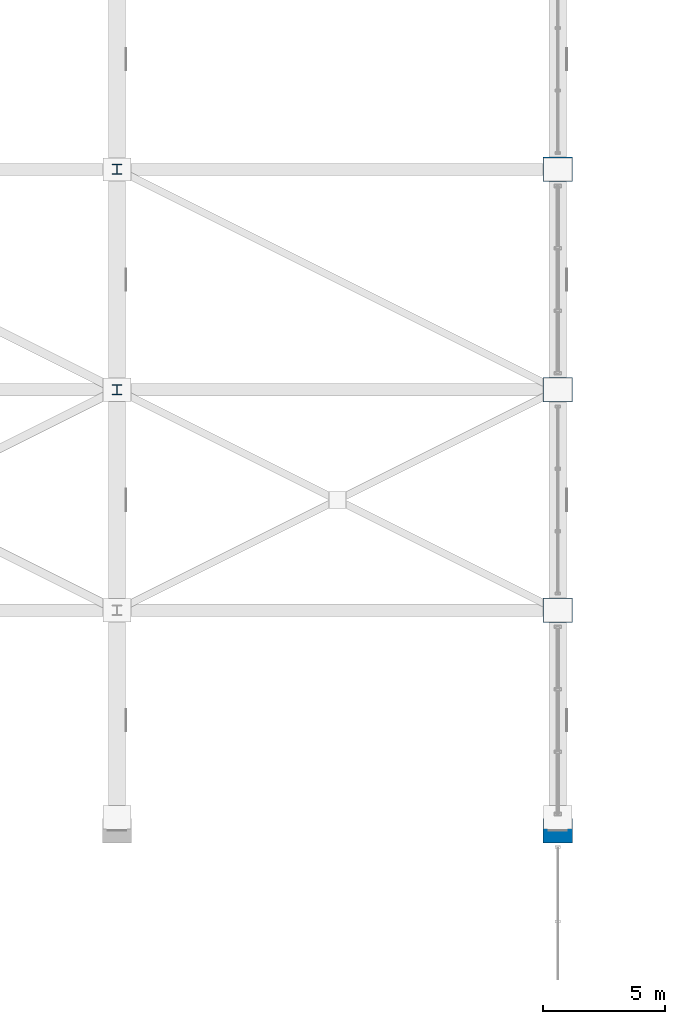
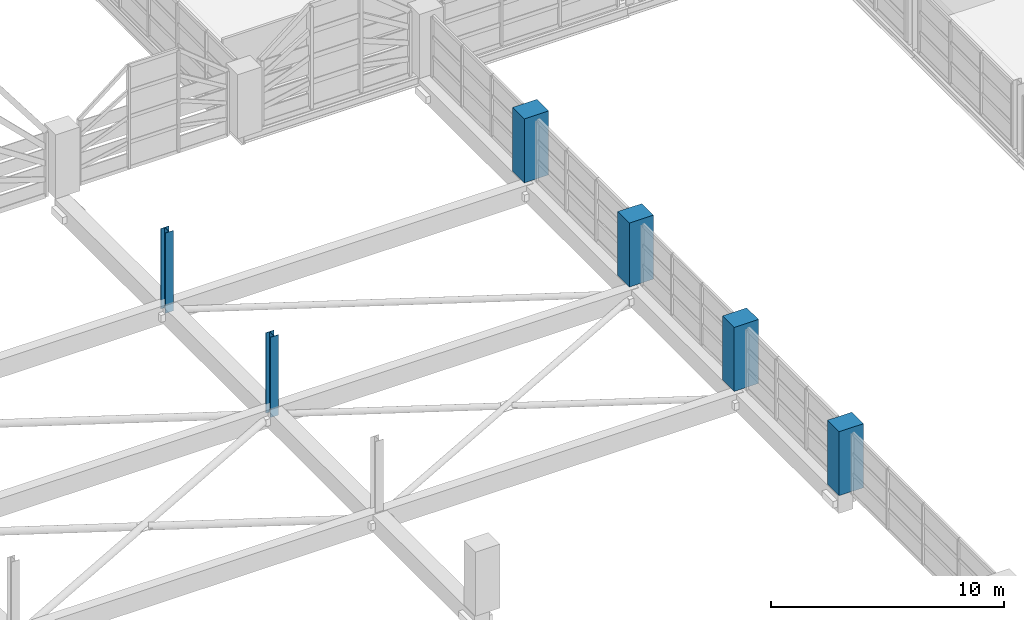
# One storey, part 9 of 116: 6 columns.
"""IFC4 building model written with IfcOpenShell, lengths in metres."""

from ifc_helpers import new_model, si_unit, direction, frame, origin, origin_2d, place, context, subcontext, project, spatial, rectangle, i_section, extrude, material, material_profile, profile_set, type_object, element, save


model = new_model("IFC4")

# Units and contexts
model_context = context("Model", 3, precision=1e-05, world=origin(), true_north=direction((0.0, 1.0)))
body_context = subcontext(model_context, "Body", "Model", "MODEL_VIEW")
ifc_project = project(units=[si_unit("LENGTHUNIT", "METRE"), si_unit("AREAUNIT", "SQUARE_METRE"), si_unit("VOLUMEUNIT", "CUBIC_METRE"), si_unit("PLANEANGLEUNIT", "RADIAN"), si_unit("MASSUNIT", "GRAM", prefix="KILO")], contexts=[model_context])

# Site, building, storey
site_placement = place(None, origin())
site = spatial("IfcSite", under=ifc_project, at=site_placement, CompositionType="ELEMENT")
building_placement = place(site_placement, origin())
building = spatial("IfcBuilding", under=site, at=building_placement, Name="Chuanluo Vaults Station", CompositionType="ELEMENT")
storey_placement = place(building_placement, frame((0.0, 0.0, 10.800048828125)))
storey = spatial("IfcBuildingStorey", under=building, at=storey_placement, Name="L02", CompositionType="ELEMENT", Elevation=10.800048828125)

# Columns
ifc_material_1 = material(Name="Concrete C50", Category="concrete")
ifc_material_profile_1 = material_profile(ifc_material_1, rectangle(XDim=1.199951171875, YDim=1.0, at=origin_2d()))
ifc_profile_set_1 = profile_set([ifc_material_profile_1], Name="Concrete C50")
column_type_1 = type_object("IfcColumnType", Name="COL-SRC-1200x1000", PredefinedType="COLUMN", material=ifc_profile_set_1)
for number, where, z_axis, x_axis, name in (
    (1, (126.0, 67.5, 0.0), (0.0, 0.0, 1.0), (1.0, 0.0, 0.0), "Column L02-077"),
    (2, (126.0, 76.5, 0.0), (0.0, 0.0, 1.0), (1.0, 0.0, 0.0), "Column L02-078"),
    (3, (126.0, 85.5, 0.0), (0.0, 0.0, 1.0), (1.0, 0.0, 0.0), "Column L02-079"),
    (4, (126.0, 94.5, 0.0), (0.0, 0.0, 1.0), (1.0, 0.0, 0.0), "Column L02-080"),
):
    element("IfcColumn", number, at=place(storey_placement, frame(where, z_axis=z_axis, x_axis=x_axis)), inside=storey, type_object=column_type_1, Name=name, PredefinedType="COLUMN", context=body_context, shape_type="SweptSolid", body=[
        extrude(rectangle(XDim=1.199951171875, YDim=1.0, at=origin_2d()), origin(), (0.0, 0.0, 1.0), 3.349853515625),
    ])
ifc_material_2 = material(Name="Steel Q355C", Category="steel")
ifc_material_profile_2 = material_profile(ifc_material_2, i_section(OverallWidth=0.39990234375, OverallDepth=0.407958984375, WebThickness=0.02099609375, FlangeThickness=0.02099609375, FilletRadius=0.02197265625, at=origin_2d()))
ifc_profile_set_2 = profile_set([ifc_material_profile_2], Name="Steel Q355C")
column_type_2 = type_object("IfcColumnType", Name="COL-STL-HW408", PredefinedType="COLUMN", material=ifc_profile_set_2)
for number, where, z_axis, x_axis, name in (
    (5, (108.0, 85.5, -0.85009765625), (0.0, 0.0, 1.0), (1.0, 0.0, 0.0), "Over-track vault pedestal 7-85"),
    (6, (108.0, 94.5, -0.85009765625), (0.0, 0.0, 1.0), (1.0, 0.0, 0.0), "Over-track vault pedestal 7-94"),
):
    element("IfcColumn", number, at=place(storey_placement, frame(where, z_axis=z_axis, x_axis=x_axis)), inside=storey, type_object=column_type_2, Name=name, PredefinedType="COLUMN", context=body_context, shape_type="SweptSolid", body=[
        extrude(i_section(OverallWidth=0.39990234375, OverallDepth=0.407958984375, WebThickness=0.02099609375, FlangeThickness=0.02099609375, FilletRadius=0.02197265625, at=origin_2d()), origin(), (0.0, 0.0, 1.0), 4.199951171875),
    ])

save(model, "model.ifc")
